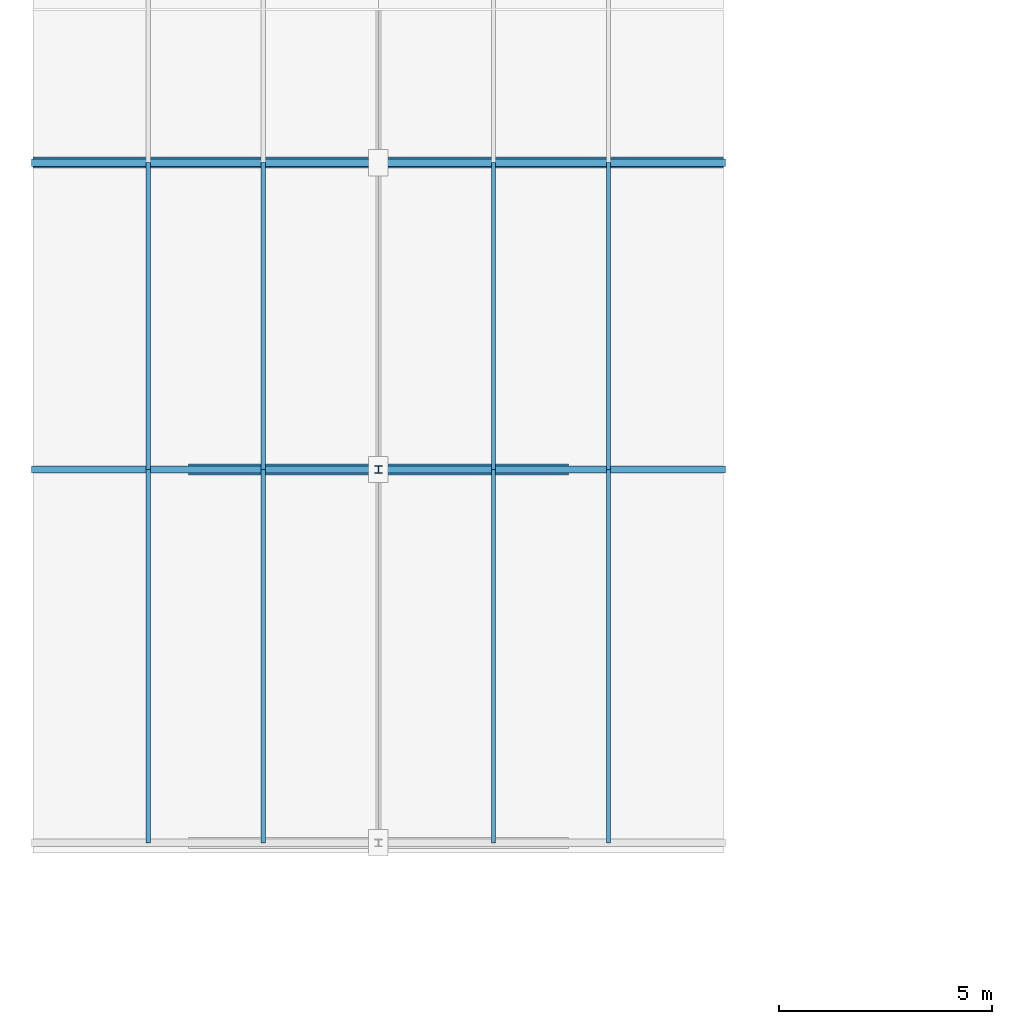
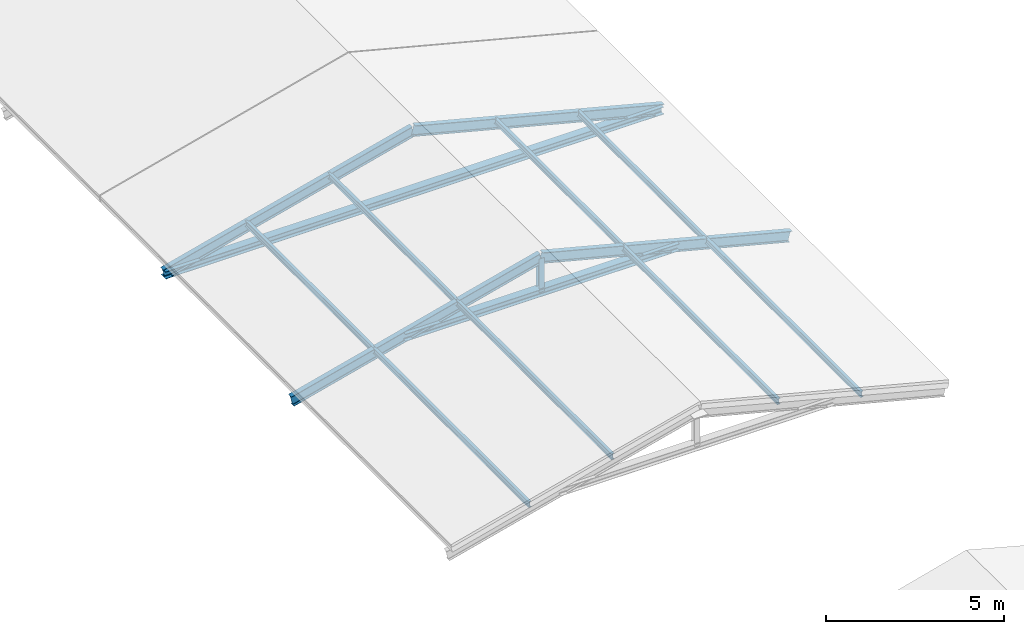
# One storey, part 10 of 31: 15 members.
"""IFC4 building model written with IfcOpenShell, lengths in metres."""

from ifc_helpers import new_model, si_unit, direction, frame, origin, origin_2d, place, context, subcontext, project, spatial, i_section, extrude, material, material_profile, profile_set, type_object, element, save


model = new_model("IFC4")

# Units and contexts
model_context = context("Model", 3, precision=1e-05, world=origin(), true_north=direction((0.0, 1.0)))
body_context = subcontext(model_context, "Body", "Model", "MODEL_VIEW")
ifc_project = project(units=[si_unit("LENGTHUNIT", "METRE"), si_unit("AREAUNIT", "SQUARE_METRE"), si_unit("VOLUMEUNIT", "CUBIC_METRE"), si_unit("PLANEANGLEUNIT", "RADIAN"), si_unit("MASSUNIT", "GRAM", prefix="KILO")], contexts=[model_context])

# Site, building, storey
site_placement = place(None, origin())
site = spatial("IfcSite", under=ifc_project, at=site_placement, CompositionType="ELEMENT")
building_placement = place(site_placement, origin())
building = spatial("IfcBuilding", under=site, at=building_placement, Name="Clarverna Civic Hall", CompositionType="ELEMENT")
storey_placement = place(building_placement, frame((0.0, 0.0, 31.199951171875)))
storey = spatial("IfcBuildingStorey", under=building, at=storey_placement, Name="RF", CompositionType="ELEMENT", Elevation=31.199951171875)

# Members
ifc_material = material(Name="Steel S355", Category="steel")
ifc_material_profile_1 = material_profile(ifc_material, i_section(OverallWidth=0.260009765625, OverallDepth=0.25, WebThickness=0.007568359375, FlangeThickness=0.012451171875, FilletRadius=0.02392578125, at=origin_2d()), Name="HEA 260")
ifc_profile_set_1 = profile_set([ifc_material_profile_1], Name="Steel S355")
member_type_1 = type_object("IfcMemberType", Name="CH-02", PredefinedType="CHORD", material=ifc_profile_set_1)
member_1_placement = place(storey_placement, frame((3.64501953125, 71.60009765625, -10.207275390625), z_axis=(1.0, 0.0, 0.0), x_axis=(0.0, 1.0, 0.0)))
element("IfcMember", 1, at=member_1_placement, inside=storey, type_object=member_type_1, Name="CH-02-002", PredefinedType="CHORD", context=body_context, shape_type="SweptSolid", body=[
    extrude(i_section(OverallWidth=0.260009765625, OverallDepth=0.25, WebThickness=0.007568359375, FlangeThickness=0.012451171875, FilletRadius=0.02392578125, at=origin_2d()), origin(), (0.0, 0.0, 1.0), 8.909912109375),
])
member_2_placement = place(storey_placement, frame((0.0, 78.800048828125, -11.14990234375), z_axis=(1.0, 0.0, 0.0), x_axis=(0.0, 1.0, 0.0)))
element("IfcMember", 2, at=member_2_placement, inside=storey, type_object=member_type_1, Name="CH-02-003", PredefinedType="CHORD", context=body_context, shape_type="SweptSolid", body=[
    extrude(i_section(OverallWidth=0.260009765625, OverallDepth=0.25, WebThickness=0.007568359375, FlangeThickness=0.012451171875, FilletRadius=0.02392578125, at=origin_2d()), origin(), (0.0, 0.0, 1.0), 16.199951171875),
])
ifc_material_profile_2 = material_profile(ifc_material, i_section(OverallWidth=0.179931640625, OverallDepth=0.1708984375, WebThickness=0.006103515625, FlangeThickness=0.009521484375, FilletRadius=0.014892578125, at=origin_2d()), Name="HEA 180")
ifc_profile_set_2 = profile_set([ifc_material_profile_2], Name="Steel S355")
member_type_2 = type_object("IfcMemberType", Name="CH-04", PredefinedType="CHORD", material=ifc_profile_set_2)
member_3_placement = place(storey_placement, frame((8.10009765625, 71.60009765625, -10.207275390625), z_axis=(0.0, 0.0, 1.0), x_axis=(1.0, 0.0, 0.0)))
element("IfcMember", 3, at=member_3_placement, inside=storey, type_object=member_type_2, Name="CH-04-095", PredefinedType="CHORD", context=body_context, shape_type="SweptSolid", body=[
    extrude(i_section(OverallWidth=0.179931640625, OverallDepth=0.1708984375, WebThickness=0.006103515625, FlangeThickness=0.009521484375, FilletRadius=0.014892578125, at=origin_2d()), origin(), (0.0, 0.0, 1.0), 1.152099609375),
])
ifc_material_profile_3 = material_profile(ifc_material, i_section(OverallWidth=0.10009765625, OverallDepth=0.199951171875, WebThickness=0.005615234375, FlangeThickness=0.008544921875, FilletRadius=0.011962890625, at=origin_2d()), Name="IPE 200")
ifc_profile_set_3 = profile_set([ifc_material_profile_3], Name="Steel S355")
member_type_3 = type_object("IfcMemberType", Name="PU-RF1", PredefinedType="PURLIN", material=ifc_profile_set_3)
member_4_placement = place(storey_placement, frame((2.699951171875, 62.840087890625, -10.361572265625), z_axis=(0.0, 1.0, 0.0), x_axis=(-1.0, 0.0, 0.0)))
element("IfcMember", 4, at=member_4_placement, inside=storey, type_object=member_type_3, Name="PU-RF1-033", PredefinedType="PURLIN", context=body_context, shape_type="SweptSolid", body=[
    extrude(i_section(OverallWidth=0.10009765625, OverallDepth=0.199951171875, WebThickness=0.005615234375, FlangeThickness=0.008544921875, FilletRadius=0.011962890625, at=origin_2d()), origin(), (0.0, 0.0, 1.0), 8.760009765625),
])
member_5_placement = place(storey_placement, frame((2.699951171875, 71.60009765625, -10.361572265625), z_axis=(0.0, 1.0, 0.0), x_axis=(-1.0, 0.0, 0.0)))
element("IfcMember", 5, at=member_5_placement, inside=storey, type_object=member_type_3, Name="PU-RF1-034", PredefinedType="PURLIN", context=body_context, shape_type="SweptSolid", body=[
    extrude(i_section(OverallWidth=0.10009765625, OverallDepth=0.199951171875, WebThickness=0.005615234375, FlangeThickness=0.008544921875, FilletRadius=0.011962890625, at=origin_2d()), origin(), (0.0, 0.0, 1.0), 7.199951171875),
])
member_6_placement = place(storey_placement, frame((5.39990234375, 62.840087890625, -9.663330078125), z_axis=(0.0, 1.0, 0.0), x_axis=(-1.0, 0.0, 0.0)))
element("IfcMember", 6, at=member_6_placement, inside=storey, type_object=member_type_3, Name="PU-RF1-038", PredefinedType="PURLIN", context=body_context, shape_type="SweptSolid", body=[
    extrude(i_section(OverallWidth=0.10009765625, OverallDepth=0.199951171875, WebThickness=0.005615234375, FlangeThickness=0.008544921875, FilletRadius=0.011962890625, at=origin_2d()), origin(), (0.0, 0.0, 1.0), 8.760009765625),
])
member_7_placement = place(storey_placement, frame((5.39990234375, 71.60009765625, -9.663330078125), z_axis=(0.0, 1.0, 0.0), x_axis=(-1.0, 0.0, 0.0)))
element("IfcMember", 7, at=member_7_placement, inside=storey, type_object=member_type_3, Name="PU-RF1-039", PredefinedType="PURLIN", context=body_context, shape_type="SweptSolid", body=[
    extrude(i_section(OverallWidth=0.10009765625, OverallDepth=0.199951171875, WebThickness=0.005615234375, FlangeThickness=0.008544921875, FilletRadius=0.011962890625, at=origin_2d()), origin(), (0.0, 0.0, 1.0), 7.199951171875),
])
member_8_placement = place(storey_placement, frame((10.800048828125, 62.840087890625, -9.663330078125), z_axis=(0.0, 1.0, 0.0), x_axis=(-1.0, 0.0, 0.0)))
element("IfcMember", 8, at=member_8_placement, inside=storey, type_object=member_type_3, Name="PU-RF1-043", PredefinedType="PURLIN", context=body_context, shape_type="SweptSolid", body=[
    extrude(i_section(OverallWidth=0.10009765625, OverallDepth=0.199951171875, WebThickness=0.005615234375, FlangeThickness=0.008544921875, FilletRadius=0.011962890625, at=origin_2d()), origin(), (0.0, 0.0, 1.0), 8.760009765625),
])
member_9_placement = place(storey_placement, frame((10.800048828125, 71.60009765625, -9.663330078125), z_axis=(0.0, 1.0, 0.0), x_axis=(-1.0, 0.0, 0.0)))
element("IfcMember", 9, at=member_9_placement, inside=storey, type_object=member_type_3, Name="PU-RF1-044", PredefinedType="PURLIN", context=body_context, shape_type="SweptSolid", body=[
    extrude(i_section(OverallWidth=0.10009765625, OverallDepth=0.199951171875, WebThickness=0.005615234375, FlangeThickness=0.008544921875, FilletRadius=0.011962890625, at=origin_2d()), origin(), (0.0, 0.0, 1.0), 7.199951171875),
])
member_10_placement = place(storey_placement, frame((13.5, 62.840087890625, -10.361572265625), z_axis=(0.0, 1.0, 0.0), x_axis=(-1.0, 0.0, 0.0)))
element("IfcMember", 10, at=member_10_placement, inside=storey, type_object=member_type_3, Name="PU-RF1-048", PredefinedType="PURLIN", context=body_context, shape_type="SweptSolid", body=[
    extrude(i_section(OverallWidth=0.10009765625, OverallDepth=0.199951171875, WebThickness=0.005615234375, FlangeThickness=0.008544921875, FilletRadius=0.011962890625, at=origin_2d()), origin(), (0.0, 0.0, 1.0), 8.760009765625),
])
member_11_placement = place(storey_placement, frame((13.5, 71.60009765625, -10.361572265625), z_axis=(0.0, 1.0, 0.0), x_axis=(-1.0, 0.0, 0.0)))
element("IfcMember", 11, at=member_11_placement, inside=storey, type_object=member_type_3, Name="PU-RF1-049", PredefinedType="PURLIN", context=body_context, shape_type="SweptSolid", body=[
    extrude(i_section(OverallWidth=0.10009765625, OverallDepth=0.199951171875, WebThickness=0.005615234375, FlangeThickness=0.008544921875, FilletRadius=0.011962890625, at=origin_2d()), origin(), (0.0, 0.0, 1.0), 7.199951171875),
])
ifc_material_profile_4 = material_profile(ifc_material, i_section(OverallWidth=0.169921875, OverallDepth=0.360107421875, WebThickness=0.008056640625, FlangeThickness=0.0126953125, FilletRadius=0.01806640625, at=origin_2d()), Name="IPE 360")
ifc_profile_set_4 = profile_set([ifc_material_profile_4], Name="Steel S355")
member_type_4 = type_object("IfcMemberType", Name="RF-02", PredefinedType="RAFTER", material=ifc_profile_set_4)
member_12_placement = place(storey_placement, frame((0.0, 71.60009765625, -11.14990234375), z_axis=(0.96815057025, 0.0, 0.250368674807), x_axis=(0.0, 1.0, 0.0)))
element("IfcMember", 12, at=member_12_placement, inside=storey, type_object=member_type_4, Name="RF-02-003", PredefinedType="RAFTER", context=body_context, shape_type="SweptSolid", body=[
    extrude(i_section(OverallWidth=0.169921875, OverallDepth=0.360107421875, WebThickness=0.008056640625, FlangeThickness=0.0126953125, FilletRadius=0.01806640625, at=origin_2d()), origin(), (0.0, 0.0, 1.0), 8.366455078125),
])
member_13_placement = place(storey_placement, frame((16.199951171875, 71.60009765625, -11.14990234375), z_axis=(-0.968148741008, 0.0, 0.250375748195), x_axis=(0.0, -1.0, 0.0)))
element("IfcMember", 13, at=member_13_placement, inside=storey, type_object=member_type_4, Name="RF-02-004", PredefinedType="RAFTER", context=body_context, shape_type="SweptSolid", body=[
    extrude(i_section(OverallWidth=0.169921875, OverallDepth=0.360107421875, WebThickness=0.008056640625, FlangeThickness=0.0126953125, FilletRadius=0.01806640625, at=origin_2d()), origin(), (0.0, 0.0, 1.0), 8.3662109375),
])
member_14_placement = place(storey_placement, frame((0.0, 78.800048828125, -11.14990234375), z_axis=(0.96815057025, 0.0, 0.250368674807), x_axis=(0.0, 1.0, 0.0)))
element("IfcMember", 14, at=member_14_placement, inside=storey, type_object=member_type_4, Name="RF-02-005", PredefinedType="RAFTER", context=body_context, shape_type="SweptSolid", body=[
    extrude(i_section(OverallWidth=0.169921875, OverallDepth=0.360107421875, WebThickness=0.008056640625, FlangeThickness=0.0126953125, FilletRadius=0.01806640625, at=origin_2d()), origin(), (0.0, 0.0, 1.0), 8.366455078125),
])
member_15_placement = place(storey_placement, frame((16.199951171875, 78.800048828125, -11.14990234375), z_axis=(-0.968148741008, 0.0, 0.250375748195), x_axis=(0.0, -1.0, 0.0)))
element("IfcMember", 15, at=member_15_placement, inside=storey, type_object=member_type_4, Name="RF-02-006", PredefinedType="RAFTER", context=body_context, shape_type="SweptSolid", body=[
    extrude(i_section(OverallWidth=0.169921875, OverallDepth=0.360107421875, WebThickness=0.008056640625, FlangeThickness=0.0126953125, FilletRadius=0.01806640625, at=origin_2d()), origin(), (0.0, 0.0, 1.0), 8.3662109375),
])

save(model, "model.ifc")
